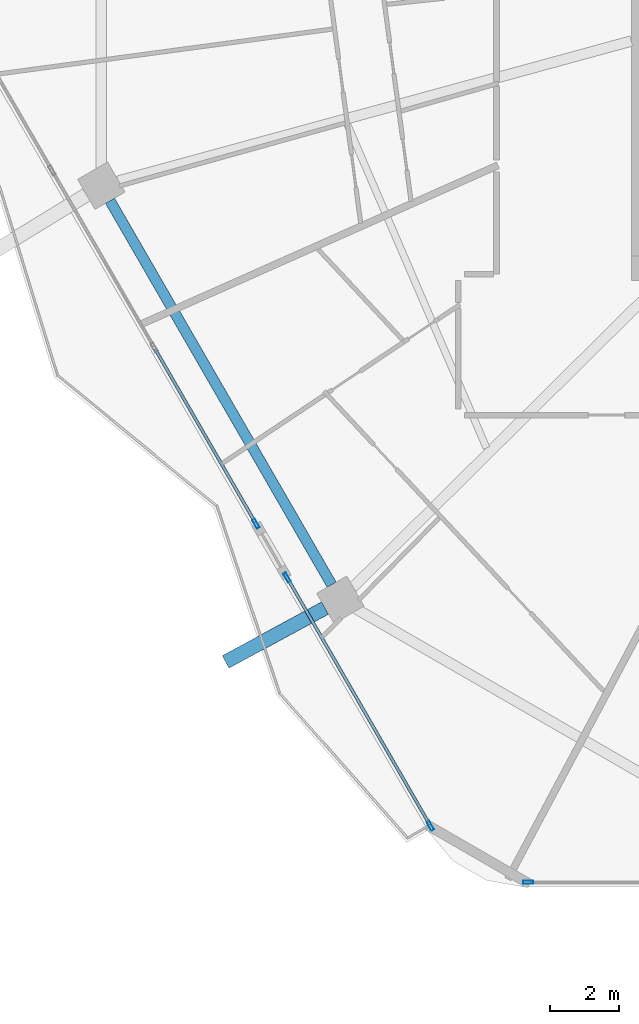
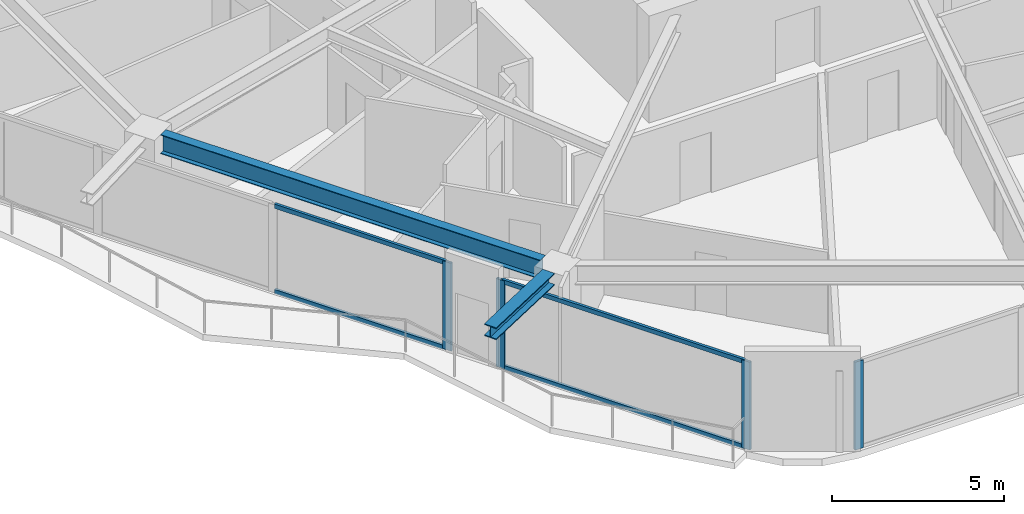
# One storey, part 2 of 25: 8 members, 2 beams, 3 elements without a shape of their own.
"""IFC4 building model written with IfcOpenShell, lengths in metres."""

from ifc_helpers import new_model, si_unit, direction, frame, origin, origin_2d, place, context, subcontext, project, spatial, hollow_rectangle, i_section, extrude, material, material_profile, profile_set, type_object, element, aggregate, save


model = new_model("IFC4")

# Units and contexts
model_context = context("Model", 3, precision=1e-05, world=origin(), true_north=direction((0.0, 1.0)))
body_context = subcontext(model_context, "Body", "Model", "MODEL_VIEW")
ifc_project = project(units=[si_unit("LENGTHUNIT", "METRE"), si_unit("AREAUNIT", "SQUARE_METRE"), si_unit("VOLUMEUNIT", "CUBIC_METRE"), si_unit("PLANEANGLEUNIT", "RADIAN"), si_unit("MASSUNIT", "GRAM", prefix="KILO")], contexts=[model_context])

# Site, building, storey
site_placement = place(None, origin())
site = spatial("IfcSite", under=ifc_project, at=site_placement, CompositionType="ELEMENT")
building_placement = place(site_placement, origin())
building = spatial("IfcBuilding", under=site, at=building_placement, Name="Zuhravey Tower", CompositionType="ELEMENT")
storey_placement = place(building_placement, frame((0.0, 0.0, 180.800048828125)))
storey = spatial("IfcBuildingStorey", under=building, at=storey_placement, Name="L45", CompositionType="ELEMENT", Elevation=180.800048828125)

# Curtain wall, member
ifc_material_1 = material(Name="Thermally broken anodised aluminium", Category="aluminium")
curtain_wall_type = type_object("IfcCurtainWallType", Name="Zone 1-2 Residential Curtain Wall CW3", PredefinedType="NOTDEFINED", material=ifc_material_1)
curtain_wall_1_placement = place(storey_placement, origin())
curtain_wall_1 = element("IfcCurtainWall", 1, at=curtain_wall_1_placement, inside=storey, type_object=curtain_wall_type, Name="L45 CW3 CW-L45-F5-1", PredefinedType="NOTDEFINED")
ifc_material_2 = material(Name="Anodised aluminium", Category="aluminium")
ifc_material_profile_1 = material_profile(ifc_material_2, hollow_rectangle(XDim=0.090087890625, YDim=0.284912109375, WallThickness=0.0048828125, at=origin_2d()), Name="ALU-RHS-90x285x5")
ifc_profile_set_1 = profile_set([ifc_material_profile_1], Name="Anodised aluminium")
member_type_1 = type_object("IfcMemberType", Name="Curtain-Wall Mullion 90x180", PredefinedType="MULLION", material=ifc_profile_set_1)
member_1_placement = place(storey_placement, frame((22.183837890625, 4.81689453125, 0.0), z_axis=(0.0, 0.0, 1.0), x_axis=(0.0, -1.0, 0.0)))
member_1 = element("IfcMember", 2, at=member_1_placement, type_object=member_type_1, Name="CW3 mullion 6", PredefinedType="MULLION", context=body_context, shape_type="SweptSolid", body=[
    extrude(hollow_rectangle(XDim=0.090087890625, YDim=0.284912109375, WallThickness=0.0048828125, at=origin_2d()), origin(), (0.0, 0.0, 1.0), 3.1220703125),
])
aggregate(curtain_wall_1, [member_1])

# Curtain wall, members
curtain_wall_2_placement = place(storey_placement, origin())
curtain_wall_2 = element("IfcCurtainWall", 3, at=curtain_wall_2_placement, inside=storey, type_object=curtain_wall_type, Name="L45 CW3 CW-L45-F4-1", PredefinedType="NOTDEFINED")
member_2_placement = place(storey_placement, frame((19.36669921875, 6.443359375, 0.0), z_axis=(0.0, 0.0, 1.0), x_axis=(-0.866026803003, -0.499997576475, 0.0)))
member_2 = element("IfcMember", 4, at=member_2_placement, type_object=member_type_1, Name="CW3 mullion 1", PredefinedType="MULLION", context=body_context, shape_type="SweptSolid", body=[
    extrude(hollow_rectangle(XDim=0.090087890625, YDim=0.284912109375, WallThickness=0.0048828125, at=origin_2d()), origin(), (0.0, 0.0, 1.0), 3.1220703125),
])
member_3_placement = place(storey_placement, frame((15.23779296875, 13.59521484375, 0.0), z_axis=(0.0, 0.0, 1.0), x_axis=(-0.866026803003, -0.499997576475, 0.0)))
member_3 = element("IfcMember", 5, at=member_3_placement, type_object=member_type_1, Name="CW3 mullion 2", PredefinedType="MULLION", context=body_context, shape_type="SweptSolid", body=[
    extrude(hollow_rectangle(XDim=0.090087890625, YDim=0.284912109375, WallThickness=0.0048828125, at=origin_2d()), origin(), (0.0, 0.0, 1.0), 3.1220703125),
])

# Curtain wall, member
curtain_wall_3_placement = place(storey_placement, origin())
curtain_wall_3 = element("IfcCurtainWall", 6, at=curtain_wall_3_placement, inside=storey, type_object=curtain_wall_type, Name="L45 CW3 CW-L45-F4-2", PredefinedType="NOTDEFINED")
member_4_placement = place(storey_placement, frame((14.3427734375, 15.145263671875, 0.0), z_axis=(0.0, 0.0, 1.0), x_axis=(-0.866024937188, -0.500000808168, 0.0)))
member_4 = element("IfcMember", 7, at=member_4_placement, type_object=member_type_1, Name="CW3 mullion 1", PredefinedType="MULLION", context=body_context, shape_type="SweptSolid", body=[
    extrude(hollow_rectangle(XDim=0.090087890625, YDim=0.284912109375, WallThickness=0.0048828125, at=origin_2d()), origin(), (0.0, 0.0, 1.0), 3.1220703125),
])

# Member
ifc_material_profile_2 = material_profile(ifc_material_2, hollow_rectangle(XDim=0.090087890625, YDim=0.14990234375, WallThickness=0.0048828125, at=origin_2d()), Name="ALU-RHS-90x150x5")
ifc_profile_set_2 = profile_set([ifc_material_profile_2], Name="Anodised aluminium")
member_type_2 = type_object("IfcMemberType", Name="Curtain-Wall Transom 90x150", PredefinedType="USERDEFINED", material=ifc_profile_set_2)
member_5_placement = place(storey_placement, frame((19.34423828125, 6.482421875, 0.044921875), z_axis=(-0.499996711381, 0.866027302461, 0.0), x_axis=(-0.866027302461, -0.499996711381, 0.0)))
member_5 = element("IfcMember", 8, at=member_5_placement, type_object=member_type_2, Name="CW3 transom 1.1", ObjectType="TRANSOM", PredefinedType="USERDEFINED", context=body_context, shape_type="SweptSolid", body=[
    extrude(hollow_rectangle(XDim=0.090087890625, YDim=0.14990234375, WallThickness=0.0048828125, at=origin_2d()), origin(), (0.0, 0.0, 1.0), 8.16796875),
])

member_6_placement = place(storey_placement, frame((19.34423828125, 6.482421875, 3.076904296875), z_axis=(-0.499996711381, 0.866027302461, 0.0), x_axis=(-0.866027302461, -0.499996711381, 0.0)))
member_6 = element("IfcMember", 9, at=member_6_placement, type_object=member_type_2, Name="CW3 transom 1.2", ObjectType="TRANSOM", PredefinedType="USERDEFINED", context=body_context, shape_type="SweptSolid", body=[
    extrude(hollow_rectangle(XDim=0.090087890625, YDim=0.14990234375, WallThickness=0.0048828125, at=origin_2d()), origin(), (0.0, 0.0, 1.0), 8.16796875),
])

aggregate(curtain_wall_2, [member_2, member_3, member_5, member_6])

member_7_placement = place(storey_placement, frame((14.3203125, 15.184326171875, 0.044921875), z_axis=(-0.500002699141, 0.866023845429, 0.0), x_axis=(-0.866023845429, -0.500002699141, 0.0)))
member_7 = element("IfcMember", 10, at=member_7_placement, type_object=member_type_2, Name="CW3 transom 1.1", ObjectType="TRANSOM", PredefinedType="USERDEFINED", context=body_context, shape_type="SweptSolid", body=[
    extrude(hollow_rectangle(XDim=0.090087890625, YDim=0.14990234375, WallThickness=0.0048828125, at=origin_2d()), origin(), (0.0, 0.0, 1.0), 5.75634765625),
])

member_8_placement = place(storey_placement, frame((14.3203125, 15.184326171875, 3.076904296875), z_axis=(-0.500002699141, 0.866023845429, 0.0), x_axis=(-0.866023845429, -0.500002699141, 0.0)))
member_8 = element("IfcMember", 11, at=member_8_placement, type_object=member_type_2, Name="CW3 transom 1.2", ObjectType="TRANSOM", PredefinedType="USERDEFINED", context=body_context, shape_type="SweptSolid", body=[
    extrude(hollow_rectangle(XDim=0.090087890625, YDim=0.14990234375, WallThickness=0.0048828125, at=origin_2d()), origin(), (0.0, 0.0, 1.0), 5.75634765625),
])

aggregate(curtain_wall_3, [member_4, member_7, member_8])

# Beams
ifc_material_3 = material(Name="Steel SM460", Category="steel")
ifc_material_profile_3 = material_profile(ifc_material_3, i_section(OverallWidth=0.406982421875, OverallDepth=0.427978515625, WebThickness=0.02001953125, FlangeThickness=0.034912109375, at=origin_2d()), Name="H-428x407x20x35")
ifc_profile_set_3 = profile_set([ifc_material_profile_3], Name="Steel SM460")
beam_type_1 = type_object("IfcBeamType", Name="Exoskeleton Node Tie Beam H428x407", PredefinedType="BEAM", material=ifc_profile_set_3)
beam_1_placement = place(storey_placement, frame((16.331298828125, 12.713134765625, 3.3359375), z_axis=(-0.87911769022, -0.476604748972, 0.0), x_axis=(0.476604748972, -0.87911769022, 0.0)))
element("IfcBeam", 12, at=beam_1_placement, inside=storey, type_object=beam_type_1, Name="L45 Exoskeleton Node Tie NT1-08", PredefinedType="BEAM", context=body_context, shape_type="SweptSolid", body=[
    extrude(i_section(OverallWidth=0.406982421875, OverallDepth=0.427978515625, WebThickness=0.02001953125, FlangeThickness=0.034912109375, at=origin_2d()), origin(), (0.0, 0.0, 1.0), 3.252197265625),
])
ifc_material_4 = material(Name="Steel SM355", Category="steel")
ifc_material_profile_4 = material_profile(ifc_material_4, i_section(OverallWidth=0.300048828125, OverallDepth=0.679931640625, WebThickness=0.012939453125, FlangeThickness=0.02197265625, at=origin_2d()), Name="H-680x300x13x22")
ifc_profile_set_4 = profile_set([ifc_material_profile_4], Name="Steel SM355")
beam_type_2 = type_object("IfcBeamType", Name="Perimeter Ring Beam H680x300", PredefinedType="BEAM", material=ifc_profile_set_4)
beam_2_placement = place(storey_placement, frame((10.143798828125, 24.43798828125, 3.2099609375), z_axis=(0.499997974489, -0.866026573211, 0.0), x_axis=(0.866026573211, 0.499997974489, 0.0)))
element("IfcBeam", 13, at=beam_2_placement, inside=storey, type_object=beam_type_2, Name="L45 PB2 BM-L45-PB-07", PredefinedType="BEAM", context=body_context, shape_type="SweptSolid", body=[
    extrude(i_section(OverallWidth=0.300048828125, OverallDepth=0.679931640625, WebThickness=0.012939453125, FlangeThickness=0.02197265625, at=origin_2d()), origin(), (0.0, 0.0, 1.0), 12.75830078125),
])

save(model, "model.ifc")
